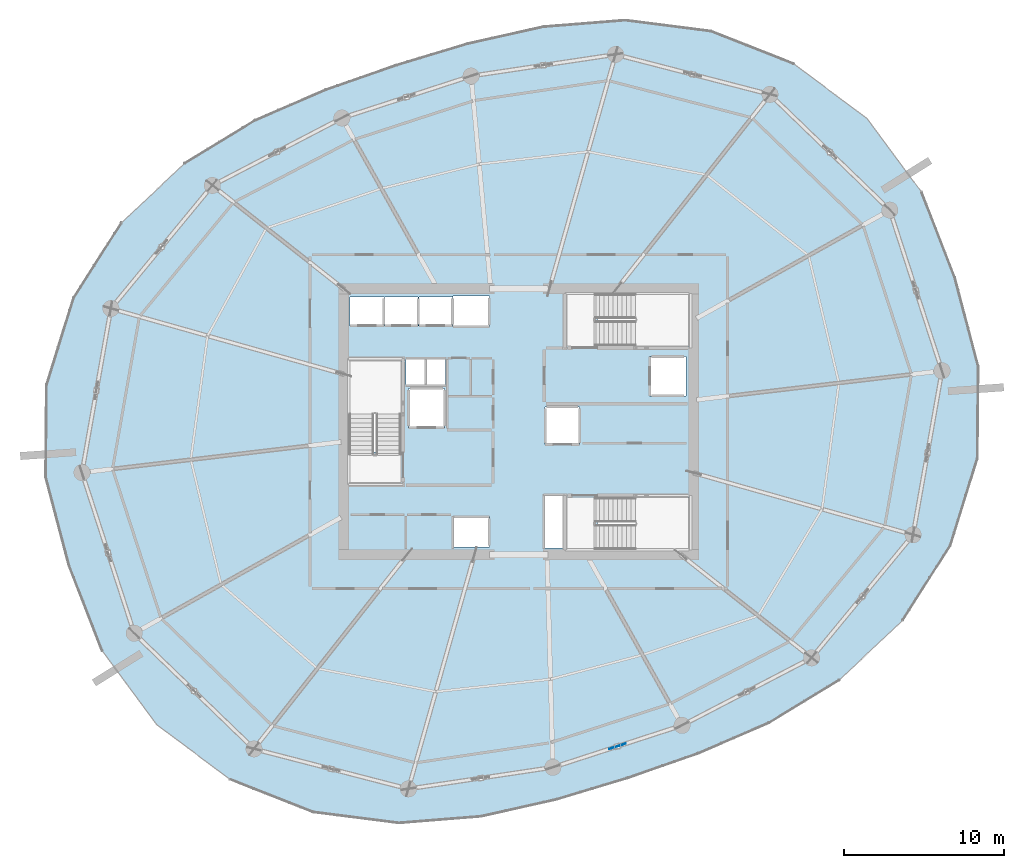
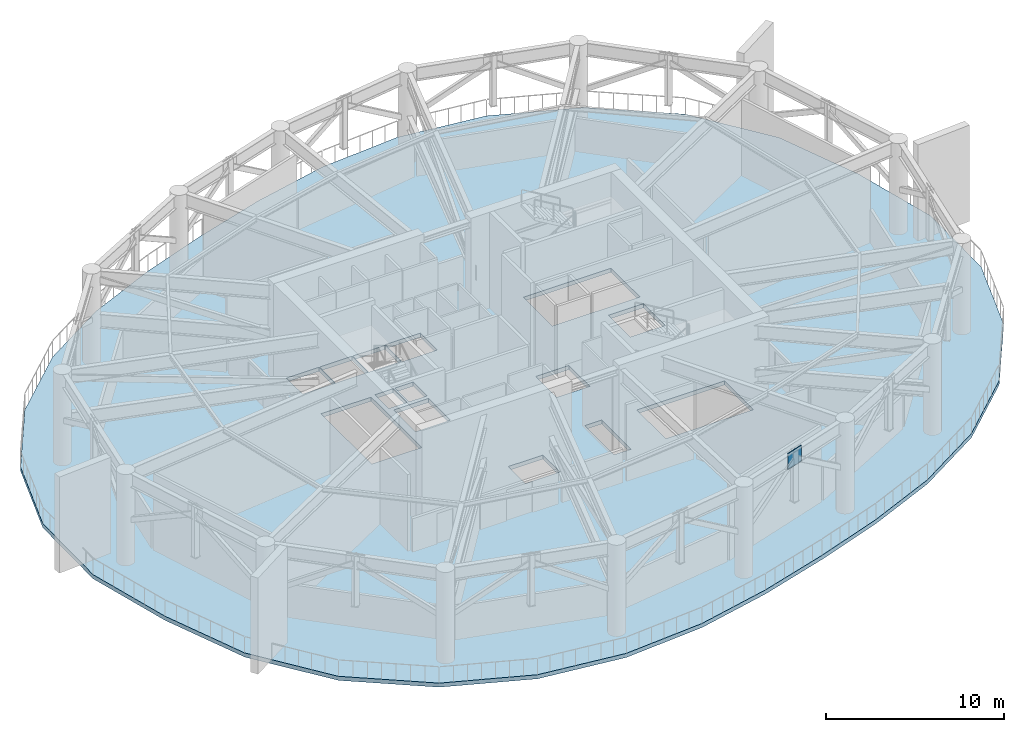
# One storey, part 10 of 20: 1 plate, 1 slab.
"""IFC4 building model written with IfcOpenShell, lengths in metres."""

import ifcopenshell
import ifcopenshell.guid

model = None  # the IFC model being written
_history = None  # IfcOwnerHistory: only IFC2X3 demands one
_inside = {}  # id of a spatial element -> (the spatial element, [elements in it])
_under = {}  # id of a project, library or spatial element -> (it, [spatial elements below it])
_declared = {}  # id of a project -> (the project, [libraries it declares])
_typed = {}  # id of a type object -> (the type object, [elements of that type])
_made_of = {}  # id of a material, layer set ... -> (it, [elements and type objects made of it])


def new_model(schema):
    """Start an empty IFC model of exactly this schema.

    Asked for "IFC4X3", IfcOpenShell would pick the latest addendum, in which some entities
    have other attributes; the version numbers below select the first issue.
    IFC2X3 requires an IfcOwnerHistory on every rooted entity: one is made here for all.
    """
    global model, _history
    if schema == "IFC4X3":
        model = ifcopenshell.file(schema_version=(4, 3, 0, 0))
    else:
        model = ifcopenshell.file(schema=schema)
    _inside.clear()
    _under.clear()
    _declared.clear()
    _typed.clear()
    _made_of.clear()
    _history = None
    if model.schema == "IFC2X3":
        org = make("IfcOrganization", Name="unknown")
        user = make(
            "IfcPersonAndOrganization",
            ThePerson=make("IfcPerson", FamilyName="unknown"),
            TheOrganization=org,
        )
        app = make(
            "IfcApplication",
            ApplicationDeveloper=org,
            Version="unknown",
            ApplicationFullName="unknown",
            ApplicationIdentifier="unknown",
        )
        _history = make(
            "IfcOwnerHistory",
            OwningUser=user,
            OwningApplication=app,
            ChangeAction="ADDED",
            CreationDate=0,
        )
    return model


def make(cls, **values):
    """One entity of the class cls with the attributes given. An attribute that is None is left unset."""
    return model.create_entity(
        cls, **{name: value for name, value in values.items() if value is not None}
    )


def rooted(cls, **values):
    """An entity with a GlobalId (a new one), such as an element, a storey or a relation."""
    return make(cls, GlobalId=ifcopenshell.guid.new(), OwnerHistory=_history, **values)


def si_unit(unit_type, name, prefix=None):
    """IfcSIUnit, for example si_unit("LENGTHUNIT", "METRE", prefix="MILLI")."""
    return make("IfcSIUnit", UnitType=unit_type, Prefix=prefix, Name=name)


def assignment(units):
    """IfcUnitAssignment: the units of a project."""
    return None if units is None else make("IfcUnitAssignment", Units=units)


def point(xyz):
    """IfcCartesianPoint."""
    return None if xyz is None else make("IfcCartesianPoint", Coordinates=xyz)


def direction(xyz):
    """IfcDirection."""
    return None if xyz is None else make("IfcDirection", DirectionRatios=xyz)


def frame(location, z_axis=None, x_axis=None):
    """IfcAxis2Placement3D, a coordinate frame: its origin and axes. An axis left out is left unset."""
    return make(
        "IfcAxis2Placement3D",
        Location=point(location),
        Axis=direction(z_axis),
        RefDirection=direction(x_axis),
    )


def frame_2d(location, x_axis=None):
    """IfcAxis2Placement2D, a coordinate frame in the plane: its origin and x axis."""
    return make(
        "IfcAxis2Placement2D", Location=point(location), RefDirection=direction(x_axis)
    )


def origin():
    """The frame at (0, 0, 0) with its axes left unset."""
    return frame((0.0, 0.0, 0.0))


def origin_2d():
    """The frame at (0, 0) in the plane with its x axis left unset."""
    return frame_2d((0.0, 0.0))


def place(relative_to, where):
    """IfcLocalPlacement: puts the frame where relative to a parent placement (None: the world)."""
    return make(
        "IfcLocalPlacement", PlacementRelTo=relative_to, RelativePlacement=where
    )


def context(
    kind, dimensions, precision=None, world=None, true_north=None, identifier=None
):
    """IfcGeometricRepresentationContext, for example the 3D "Model" context."""
    return make(
        "IfcGeometricRepresentationContext",
        ContextIdentifier=identifier,
        ContextType=kind,
        CoordinateSpaceDimension=dimensions,
        Precision=precision,
        WorldCoordinateSystem=world,
        TrueNorth=true_north,
    )


def subcontext(parent, identifier, kind, view, scale=None):
    """IfcGeometricRepresentationSubContext, for example "Body" below "Model"."""
    return make(
        "IfcGeometricRepresentationSubContext",
        ContextIdentifier=identifier,
        ContextType=kind,
        ParentContext=parent,
        TargetScale=scale,
        TargetView=view,
    )


def project(units=None, contexts=None):
    """IfcProject with its units and contexts."""
    return rooted(
        "IfcProject",
        Name="project",
        RepresentationContexts=contexts,
        UnitsInContext=assignment(units),
    )


def spatial(cls, under=None, at=None, **own):
    """A site, building, storey or space (cls), placed at a placement, below another one or the project."""
    s = rooted(cls, ObjectPlacement=at, **own)
    if under is not None:
        _under.setdefault(under.id(), (under, []))[1].append(s)
    return s


def polyline(points):
    """IfcPolyline through the points."""
    return make("IfcPolyline", Points=[point(p) for p in points])


def profile(cls, at=None, kind="AREA", **sizes):
    """A parametric profile (cls). Its sizes go by their IFC names, for example OverallWidth=200.0."""
    return make(cls, ProfileType=kind, Position=at, **sizes)


def rectangle(**sizes):
    """IfcRectangleProfileDef."""
    return profile("IfcRectangleProfileDef", **sizes)


def outline(outer, holes=None, kind="AREA"):
    """IfcArbitraryClosedProfileDef: a profile drawn as a closed curve; with holes, ...WithVoids."""
    if holes is None:
        return make("IfcArbitraryClosedProfileDef", ProfileType=kind, OuterCurve=outer)
    return make(
        "IfcArbitraryProfileDefWithVoids",
        ProfileType=kind,
        OuterCurve=outer,
        InnerCurves=holes,
    )


def extrude(swept, where, along, depth):
    """IfcExtrudedAreaSolid: the profile swept, set in the frame where, extruded along a direction by depth."""
    return make(
        "IfcExtrudedAreaSolid",
        SweptArea=swept,
        Position=where,
        ExtrudedDirection=direction(along),
        Depth=depth,
    )


def shape(context_of_items, identifier, shape_type, items):
    """IfcShapeRepresentation: the items that make up one representation, for example the "Body"."""
    return make(
        "IfcShapeRepresentation",
        ContextOfItems=context_of_items,
        RepresentationIdentifier=identifier,
        RepresentationType=shape_type,
        Items=items,
    )


def material(Name=None, Category=None):
    """IfcMaterial."""
    return make("IfcMaterial", Name=Name, Category=Category)


def layer(
    of_material, thickness, ventilated=None, Name=None, Category=None, Priority=None
):
    """IfcMaterialLayer: one layer of a wall or slab, of a material (None: an air gap)."""
    return make(
        "IfcMaterialLayer",
        Material=of_material,
        LayerThickness=thickness,
        IsVentilated=ventilated,
        Name=Name,
        Category=Category,
        Priority=Priority,
    )


def layer_set(layers, Name=None):
    """IfcMaterialLayerSet."""
    return make("IfcMaterialLayerSet", MaterialLayers=layers, LayerSetName=Name)


def made_of(thing, what):
    """Note that an element or type object is made of a material, layer set ...; save() writes the relation."""
    if what is not None:
        _made_of.setdefault(what.id(), (what, []))[1].append(thing)
    return thing


def type_object(cls, material=None, **own):
    """A type object (cls), such as IfcWallType, which elements share."""
    return made_of(rooted(cls, **own), material)


def element(
    cls,
    number,
    at=None,
    inside=None,
    cuts=None,
    type_object=None,
    material=None,
    context=None,
    identifier="Body",
    shape_type=None,
    held_by="IfcProductDefinitionShape",
    body=None,
    shapes=None,
    **own,
):
    """One element of the class cls, such as IfcWall. Its Tag is "e" and its number.

    at: its placement. inside: the storey or other place that contains it. cuts: it is an
    opening in that element (IfcRelVoidsElement). A single representation is given by context,
    identifier, shape_type and body (its items); several are given by shapes. held_by: the class
    of the entity that holds the representations. save() writes the other relations.
    """
    e = rooted(cls, Tag="e%d" % number, ObjectPlacement=at, **own)
    if body is not None:
        shapes = [shape(context, identifier, shape_type, body)]
    if shapes is not None:
        e.Representation = make(held_by, Representations=shapes)
    if inside is not None:
        _inside.setdefault(inside.id(), (inside, []))[1].append(e)
    if cuts is not None:
        rooted(
            "IfcRelVoidsElement", RelatingBuildingElement=cuts, RelatedOpeningElement=e
        )
    if type_object is not None:
        _typed.setdefault(type_object.id(), (type_object, []))[1].append(e)
    return made_of(e, material)


def aggregate(whole, parts):
    """IfcRelAggregates: a whole, such as a stair, and the parts it consists of."""
    return rooted("IfcRelAggregates", RelatingObject=whole, RelatedObjects=parts)


def save(model, path):
    """Write the relations noted so far, then the file.

    IfcRelAggregates (storeys below a building ...), IfcRelContainedInSpatialStructure (elements
    in a storey), IfcRelDefinesByType, IfcRelAssociatesMaterial and IfcRelDeclares: one each for
    every whole, place, type object, material and project.
    """
    for whole, parts in _under.values():
        aggregate(whole, parts)
    for where, things in _inside.values():
        rooted(
            "IfcRelContainedInSpatialStructure",
            RelatedElements=things,
            RelatingStructure=where,
        )
    for kind, things in _typed.values():
        rooted("IfcRelDefinesByType", RelatedObjects=things, RelatingType=kind)
    for what, things in _made_of.values():
        rooted("IfcRelAssociatesMaterial", RelatedObjects=things, RelatingMaterial=what)
    for by, libraries in _declared.values():
        rooted("IfcRelDeclares", RelatingContext=by, RelatedDefinitions=libraries)
    model.write(path)


model = new_model("IFC4")

# Units and contexts
model_context = context("Model", 3, precision=1e-05, world=origin(), true_north=direction((0.0, 1.0)))
body_context = subcontext(model_context, "Body", "Model", "MODEL_VIEW")
ifc_project = project(units=[si_unit("LENGTHUNIT", "METRE"), si_unit("AREAUNIT", "SQUARE_METRE"), si_unit("VOLUMEUNIT", "CUBIC_METRE"), si_unit("PLANEANGLEUNIT", "RADIAN"), si_unit("MASSUNIT", "GRAM", prefix="KILO")], contexts=[model_context])

# Site, building, storey
site_placement = place(None, origin())
site = spatial("IfcSite", under=ifc_project, at=site_placement, CompositionType="ELEMENT")
building_placement = place(site_placement, origin())
building = spatial("IfcBuilding", under=site, at=building_placement, Name="Kazma Halo Residences", CompositionType="ELEMENT")
storey_placement = place(building_placement, frame((0.0, 0.0, 225.300048828125)))
storey = spatial("IfcBuildingStorey", under=building, at=storey_placement, Name="L57", CompositionType="ELEMENT", Elevation=225.300048828125)

# Plate
ifc_material_1 = material(Name="Steel S355", Category="steel")
ifc_layer_1 = layer(ifc_material_1, 0.0400390625)
ifc_layer_set_1 = layer_set([ifc_layer_1], Name="Steel S355")
plate_type = type_object("IfcPlateType", Name="PLT-GUSSET-40", PredefinedType="SHEET", material=ifc_layer_set_1)
plate_placement = place(storey_placement, frame((54.602783203125, 21.67822265625, 5.2099609375), z_axis=(0.0, 0.0, 1.0), x_axis=(0.951056975571, 0.309015580864, 0.0)))
element("IfcPlate", 1, at=plate_placement, inside=storey, type_object=plate_type, Name="L57 belt-truss apex gusset plate 12", PredefinedType="SHEET", context=body_context, shape_type="SweptSolid", body=[
    extrude(rectangle(XDim=1.10009765625, YDim=0.0400390625, at=origin_2d()), origin(), (0.0, 0.0, 1.0), 1.10009765625),
])

# Slab
ifc_material_2 = material(Name="Concrete C50/60", Category="concrete")
ifc_layer_2 = layer(ifc_material_2, 0.280029296875)
ifc_layer_set_2 = layer_set([ifc_layer_2], Name="Concrete C50/60")
slab_type = type_object("IfcSlabType", Name="SLB-MEP-280", PredefinedType="FLOOR", material=ifc_layer_set_2)
slab_placement = place(storey_placement, frame((0.0, 0.0, -0.280029296875)))
element("IfcSlab", 2, at=slab_placement, inside=storey, type_object=slab_type, Name="L57 structural floor slab", PredefinedType="FLOOR", context=body_context, shape_type="SweptSolid", body=[
    extrude(outline(polyline([(75.72021484375, 51.0068359375), (73.640869140625, 56.359619140625), (70.219482421875, 60.977294921875), (65.64892578125, 64.3876953125), (60.451416015625, 66.43701171875), (55.084716796875, 67.120849609375), (49.944580078125, 66.709716796875), (45.201416015625, 65.64501953125), (40.75390625, 64.301025390625), (36.365966796875, 62.774169921875), (31.902587890625, 60.847412109375), (27.502685546875, 58.15869140625), (23.56298828125, 54.451416015625), (20.5625, 49.73828125), (18.869384765625, 44.29248046875), (18.815673828125, 38.5458984375), (20.27978515625, 32.9931640625), (22.359130859375, 27.640380859375), (25.780517578125, 23.022705078125), (30.35107421875, 19.6123046875), (35.548583984375, 17.56298828125), (40.915283203125, 16.879150390625), (46.055419921875, 17.290283203125), (50.798583984375, 18.35498046875), (55.24609375, 19.698974609375), (59.634033203125, 21.225830078125), (64.097412109375, 23.152587890625), (68.497314453125, 25.84130859375), (72.43701171875, 29.548583984375), (75.4375, 34.26171875), (77.130615234375, 39.70751953125), (77.184326171875, 45.4541015625), (75.72021484375, 51.0068359375)]), holes=[polyline([(37.800048828125, 40.110107421875), (41.050048828125, 40.110107421875), (41.050048828125, 45.800048828125), (37.800048828125, 45.800048828125), (37.800048828125, 40.110107421875)]), polyline([(53.360107421875, 46.75), (59.050048828125, 46.75), (59.050048828125, 50.0), (53.360107421875, 50.0), (53.360107421875, 46.75)]), polyline([(53.360107421875, 34.0), (59.050048828125, 34.0), (59.050048828125, 37.25), (53.360107421875, 37.25), (53.360107421875, 34.0)]), polyline([(41.52001953125, 41.6201171875), (43.780029296875, 41.6201171875), (43.780029296875, 44.080078125), (41.52001953125, 44.080078125), (41.52001953125, 41.6201171875)]), polyline([(56.6201171875, 43.6201171875), (58.8798828125, 43.6201171875), (58.8798828125, 46.080078125), (56.6201171875, 46.080078125), (56.6201171875, 43.6201171875)]), polyline([(37.864990234375, 47.9951171875), (39.97509765625, 47.9951171875), (39.97509765625, 49.804931640625), (37.864990234375, 49.804931640625), (37.864990234375, 47.9951171875)]), polyline([(40.014892578125, 47.9951171875), (42.125, 47.9951171875), (42.125, 49.804931640625), (40.014892578125, 49.804931640625), (40.014892578125, 47.9951171875)]), polyline([(42.1650390625, 47.9951171875), (44.27490234375, 47.9951171875), (44.27490234375, 49.804931640625), (42.1650390625, 49.804931640625), (42.1650390625, 47.9951171875)]), polyline([(44.320068359375, 47.945068359375), (46.580078125, 47.945068359375), (46.580078125, 49.85498046875), (44.320068359375, 49.85498046875), (44.320068359375, 47.945068359375)]), polyline([(44.320068359375, 34.14501953125), (46.580078125, 34.14501953125), (46.580078125, 36.054931640625), (44.320068359375, 36.054931640625), (44.320068359375, 34.14501953125)]), polyline([(50.070068359375, 40.570068359375), (52.22998046875, 40.570068359375), (52.22998046875, 42.929931640625), (50.070068359375, 42.929931640625), (50.070068359375, 40.570068359375)]), polyline([(41.360107421875, 44.340087890625), (42.5400390625, 44.340087890625), (42.5400390625, 45.89990234375), (41.360107421875, 45.89990234375), (41.360107421875, 44.340087890625)]), polyline([(42.659912109375, 44.340087890625), (43.840087890625, 44.340087890625), (43.840087890625, 45.89990234375), (42.659912109375, 45.89990234375), (42.659912109375, 44.340087890625)]), polyline([(50.06005859375, 34.080078125), (51.159912109375, 34.080078125), (51.159912109375, 37.3798828125), (50.06005859375, 37.3798828125), (50.06005859375, 34.080078125)])]), origin(), (0.0, 0.0, 1.0), 0.280029296875),
])

save(model, "model.ifc")
